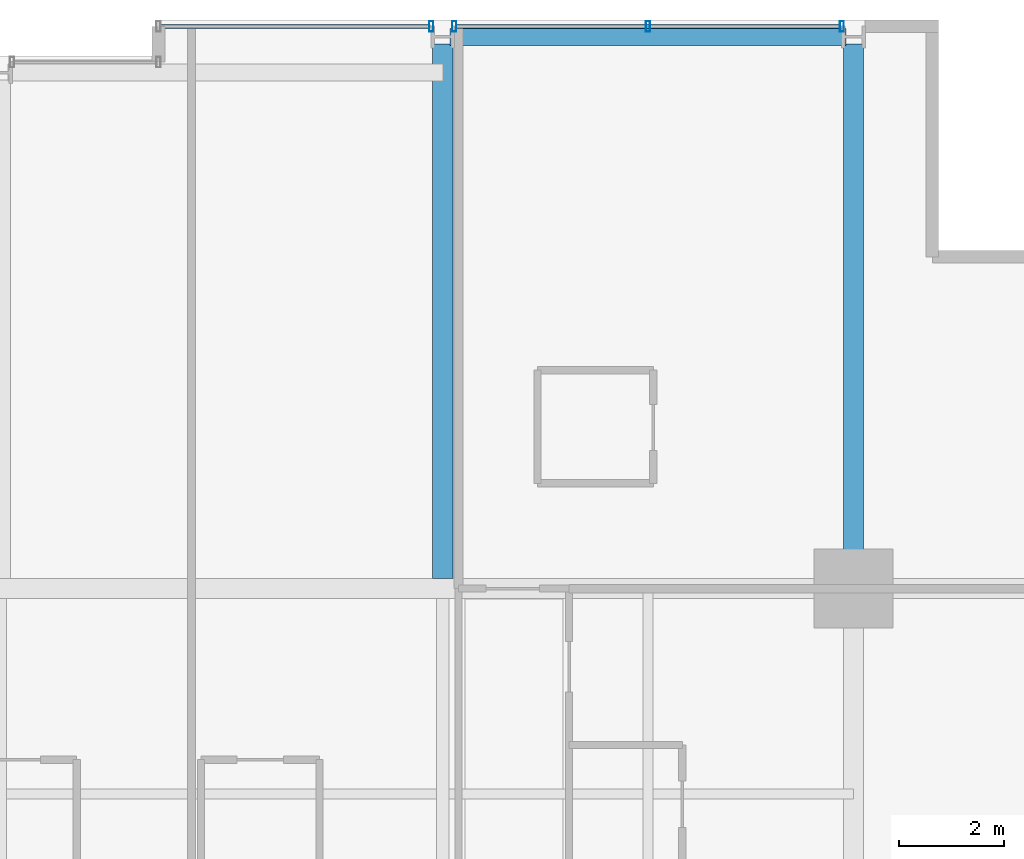
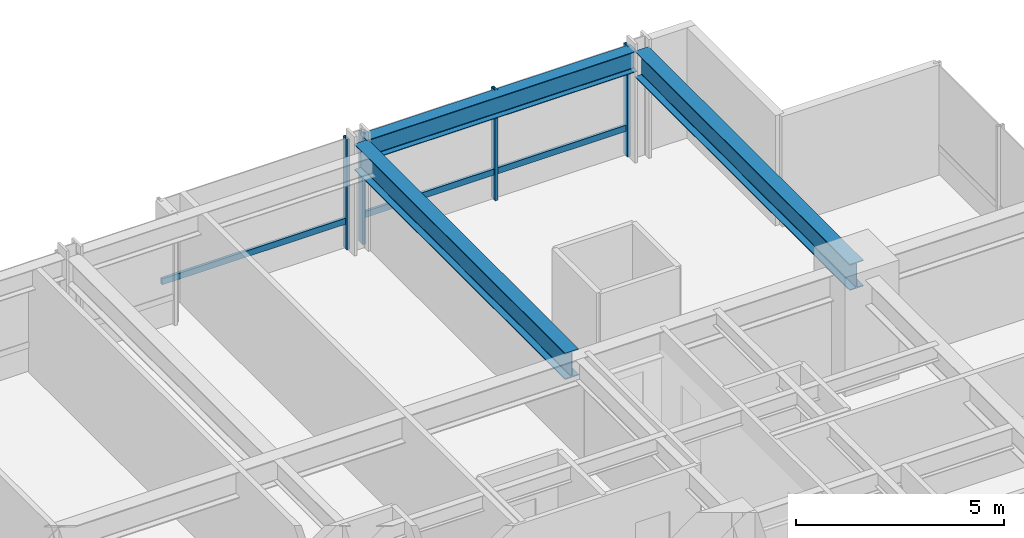
# One storey, part 25 of 34: 6 members, 3 beams, 2 elements without a shape of their own.
"""IFC4 building model written with IfcOpenShell, lengths in metres."""

from ifc_helpers import new_model, si_unit, direction, frame, origin, origin_2d, place, context, subcontext, project, spatial, hollow_rectangle, i_section, extrude, material, layer, layer_set, material_profile, profile_set, type_object, element, aggregate, save


model = new_model("IFC4")

# Units and contexts
model_context = context("Model", 3, precision=1e-05, world=origin(), true_north=direction((0.0, 1.0)))
body_context = subcontext(model_context, "Body", "Model", "MODEL_VIEW")
ifc_project = project(units=[si_unit("LENGTHUNIT", "METRE"), si_unit("AREAUNIT", "SQUARE_METRE"), si_unit("VOLUMEUNIT", "CUBIC_METRE"), si_unit("PLANEANGLEUNIT", "RADIAN"), si_unit("MASSUNIT", "GRAM", prefix="KILO")], contexts=[model_context])

# Site, building, storey
site_placement = place(None, origin())
site = spatial("IfcSite", under=ifc_project, at=site_placement, CompositionType="ELEMENT")
building_placement = place(site_placement, origin())
building = spatial("IfcBuilding", under=site, at=building_placement, Name="Drelvath Grand Hotel", CompositionType="ELEMENT")
storey_placement = place(building_placement, frame((0.0, 0.0, 91.800048828125)))
storey = spatial("IfcBuildingStorey", under=building, at=storey_placement, Name="L22", CompositionType="ELEMENT", Elevation=91.800048828125)

# Curtain wall, member
ifc_material_1 = material(Name="Champagne Bronze Anodised Aluminium Frame", Category="aluminium")
ifc_layer = layer(ifc_material_1, 0.199951171875)
ifc_layer_set = layer_set([ifc_layer], Name="Champagne Bronze Anodised Aluminium Frame")
curtain_wall_type = type_object("IfcCurtainWallType", Name="Stick Curtain Wall CW-03 Champagne Bronze Mid-Rise", PredefinedType="NOTDEFINED", material=ifc_layer_set)
curtain_wall_1_placement = place(storey_placement, origin())
curtain_wall_1 = element("IfcCurtainWall", 1, at=curtain_wall_1_placement, inside=storey, type_object=curtain_wall_type, Name="L22 CW-03 Curtain Wall CW03-L22-NE1", PredefinedType="NOTDEFINED")
ifc_material_profile_1 = material_profile(ifc_material_1, hollow_rectangle(XDim=0.074951171875, YDim=0.179931640625, WallThickness=0.0048828125, at=origin_2d()), Name="HSS180X75X5")
ifc_profile_set_1 = profile_set([ifc_material_profile_1], Name="Champagne Bronze Anodised Aluminium Frame")
member_type_1 = type_object("IfcMemberType", Name="Curtain Wall Horizontal Transom CW-03 HSS180X75X5", PredefinedType="USERDEFINED", material=ifc_profile_set_1)
member_1_placement = place(storey_placement, frame((3.0400390625, 53.8798828125, 0.81005859375), z_axis=(1.0, 0.0, 0.0), x_axis=(0.0, 1.0, 0.0)))
member_1 = element("IfcMember", 2, at=member_1_placement, type_object=member_type_1, Name="CW03-L22-NE1 Sill Transom", ObjectType="TRANSOM", PredefinedType="USERDEFINED", context=body_context, shape_type="SweptSolid", body=[
    extrude(hollow_rectangle(XDim=0.074951171875, YDim=0.179931640625, WallThickness=0.0048828125, at=origin_2d()), origin(), (0.0, 0.0, 1.0), 5.100341796875),
])

curtain_wall_2_placement = place(storey_placement, origin())
curtain_wall_2 = element("IfcCurtainWall", 3, at=curtain_wall_2_placement, inside=storey, type_object=curtain_wall_type, Name="L22 CW-03 Curtain Wall CW03-L22-NE2", PredefinedType="NOTDEFINED")
member_2_placement = place(storey_placement, frame((8.65966796875, 53.8798828125, 0.81005859375), z_axis=(1.0, 0.0, 0.0), x_axis=(0.0, 1.0, 0.0)))
member_2 = element("IfcMember", 4, at=member_2_placement, type_object=member_type_1, Name="CW03-L22-NE2 Sill Transom", ObjectType="TRANSOM", PredefinedType="USERDEFINED", context=body_context, shape_type="SweptSolid", body=[
    extrude(hollow_rectangle(XDim=0.074951171875, YDim=0.179931640625, WallThickness=0.0048828125, at=origin_2d()), origin(), (0.0, 0.0, 1.0), 7.28076171875),
])

# Member
ifc_material_profile_2 = material_profile(ifc_material_1, hollow_rectangle(XDim=0.080078125, YDim=0.199951171875, WallThickness=0.0048828125, at=origin_2d()), Name="HSS200X80X5")
ifc_profile_set_2 = profile_set([ifc_material_profile_2], Name="Champagne Bronze Anodised Aluminium Frame")
member_type_2 = type_object("IfcMemberType", Name="Curtain Wall Vertical Mullion CW-03 HSS200X80X5", PredefinedType="MULLION", material=ifc_profile_set_2)
member_3_placement = place(storey_placement, frame((8.180419921875, 53.8798828125, 0.0), z_axis=(0.0, 0.0, 1.0), x_axis=(1.0, 0.0, 0.0)))
member_3 = element("IfcMember", 5, at=member_3_placement, type_object=member_type_2, Name="CW03-L22-NE1 Mullion 2", PredefinedType="MULLION", context=body_context, shape_type="SweptSolid", body=[
    extrude(hollow_rectangle(XDim=0.080078125, YDim=0.199951171875, WallThickness=0.0048828125, at=origin_2d()), origin(), (0.0, 0.0, 1.0), 3.239990234375),
])

aggregate(curtain_wall_1, [member_3, member_1])

member_4_placement = place(storey_placement, frame((8.61962890625, 53.8798828125, 0.0), z_axis=(0.0, 0.0, 1.0), x_axis=(1.0, 0.0, 0.0)))
member_4 = element("IfcMember", 6, at=member_4_placement, type_object=member_type_2, Name="CW03-L22-NE2 Mullion 1", PredefinedType="MULLION", context=body_context, shape_type="SweptSolid", body=[
    extrude(hollow_rectangle(XDim=0.080078125, YDim=0.199951171875, WallThickness=0.0048828125, at=origin_2d()), origin(), (0.0, 0.0, 1.0), 3.239990234375),
])

member_5_placement = place(storey_placement, frame((12.300048828125, 53.8798828125, 0.0), z_axis=(0.0, 0.0, 1.0), x_axis=(1.0, 0.0, 0.0)))
member_5 = element("IfcMember", 7, at=member_5_placement, type_object=member_type_2, Name="CW03-L22-NE2 Mullion 2", PredefinedType="MULLION", context=body_context, shape_type="SweptSolid", body=[
    extrude(hollow_rectangle(XDim=0.080078125, YDim=0.199951171875, WallThickness=0.0048828125, at=origin_2d()), origin(), (0.0, 0.0, 1.0), 3.239990234375),
])

member_6_placement = place(storey_placement, frame((15.98046875, 53.8798828125, 0.0), z_axis=(0.0, 0.0, 1.0), x_axis=(1.0, 0.0, 0.0)))
member_6 = element("IfcMember", 8, at=member_6_placement, type_object=member_type_2, Name="CW03-L22-NE2 Mullion 3", PredefinedType="MULLION", context=body_context, shape_type="SweptSolid", body=[
    extrude(hollow_rectangle(XDim=0.080078125, YDim=0.199951171875, WallThickness=0.0048828125, at=origin_2d()), origin(), (0.0, 0.0, 1.0), 3.239990234375),
])

aggregate(curtain_wall_2, [member_4, member_5, member_6, member_2])

# Beams
ifc_material_2 = material(Name="Steel ASTM A992 Gr 50", Category="steel")
ifc_material_profile_3 = material_profile(ifc_material_2, i_section(OverallWidth=0.323974609375, OverallDepth=0.611083984375, WebThickness=0.0126953125, FlangeThickness=0.01904296875, FilletRadius=0.02197265625, at=origin_2d()), Name="W24X104")
ifc_profile_set_3 = profile_set([ifc_material_profile_3], Name="Steel ASTM A992 Gr 50")
beam_type_1 = type_object("IfcBeamType", Name="Perimeter Spandrel Beam W24X104", PredefinedType="SPANDREL", material=ifc_profile_set_3)
beam_1_placement = place(storey_placement, frame((8.5400390625, 53.679931640625, 2.9345703125), z_axis=(1.0, 0.0, 0.0), x_axis=(0.0, 1.0, 0.0)))
element("IfcBeam", 9, at=beam_1_placement, inside=storey, type_object=beam_type_1, Name="L22 Spandrel North E", PredefinedType="SPANDREL", context=body_context, shape_type="SweptSolid", body=[
    extrude(i_section(OverallWidth=0.323974609375, OverallDepth=0.611083984375, WebThickness=0.0126953125, FlangeThickness=0.01904296875, FilletRadius=0.02197265625, at=origin_2d()), origin(), (0.0, 0.0, 1.0), 7.52001953125),
])
ifc_material_profile_4 = material_profile(ifc_material_2, i_section(OverallWidth=0.380615234375, OverallDepth=0.773193359375, WebThickness=0.0166015625, FlangeThickness=0.027099609375, FilletRadius=0.02490234375, at=origin_2d()), Name="W30X173")
ifc_profile_set_4 = profile_set([ifc_material_profile_4], Name="Steel ASTM A992 Gr 50")
beam_type_2 = type_object("IfcBeamType", Name="Primary Floor Girder W30X173", PredefinedType="BEAM", material=ifc_profile_set_4)
beam_2_placement = place(storey_placement, frame((16.199951171875, 43.199951171875, 2.853271484375), z_axis=(0.0, 1.0, 0.0), x_axis=(-1.0, 0.0, 0.0)))
element("IfcBeam", 10, at=beam_2_placement, inside=storey, type_object=beam_type_2, Name="L22 North Grid Girder 7", PredefinedType="BEAM", context=body_context, shape_type="SweptSolid", body=[
    extrude(i_section(OverallWidth=0.380615234375, OverallDepth=0.773193359375, WebThickness=0.0166015625, FlangeThickness=0.027099609375, FilletRadius=0.02490234375, at=origin_2d()), origin(), (0.0, 0.0, 1.0), 10.340087890625),
])
beam_3_placement = place(storey_placement, frame((8.39990234375, 43.390380859375, 2.853271484375), z_axis=(0.0, 1.0, 0.0), x_axis=(-1.0, 0.0, 0.0)))
element("IfcBeam", 11, at=beam_3_placement, inside=storey, type_object=beam_type_2, Name="L22 North Wing Girder 6", PredefinedType="BEAM", context=body_context, shape_type="SweptSolid", body=[
    extrude(i_section(OverallWidth=0.380615234375, OverallDepth=0.773193359375, WebThickness=0.0166015625, FlangeThickness=0.027099609375, FilletRadius=0.02490234375, at=origin_2d()), origin(), (0.0, 0.0, 1.0), 10.149658203125),
])

save(model, "model.ifc")
